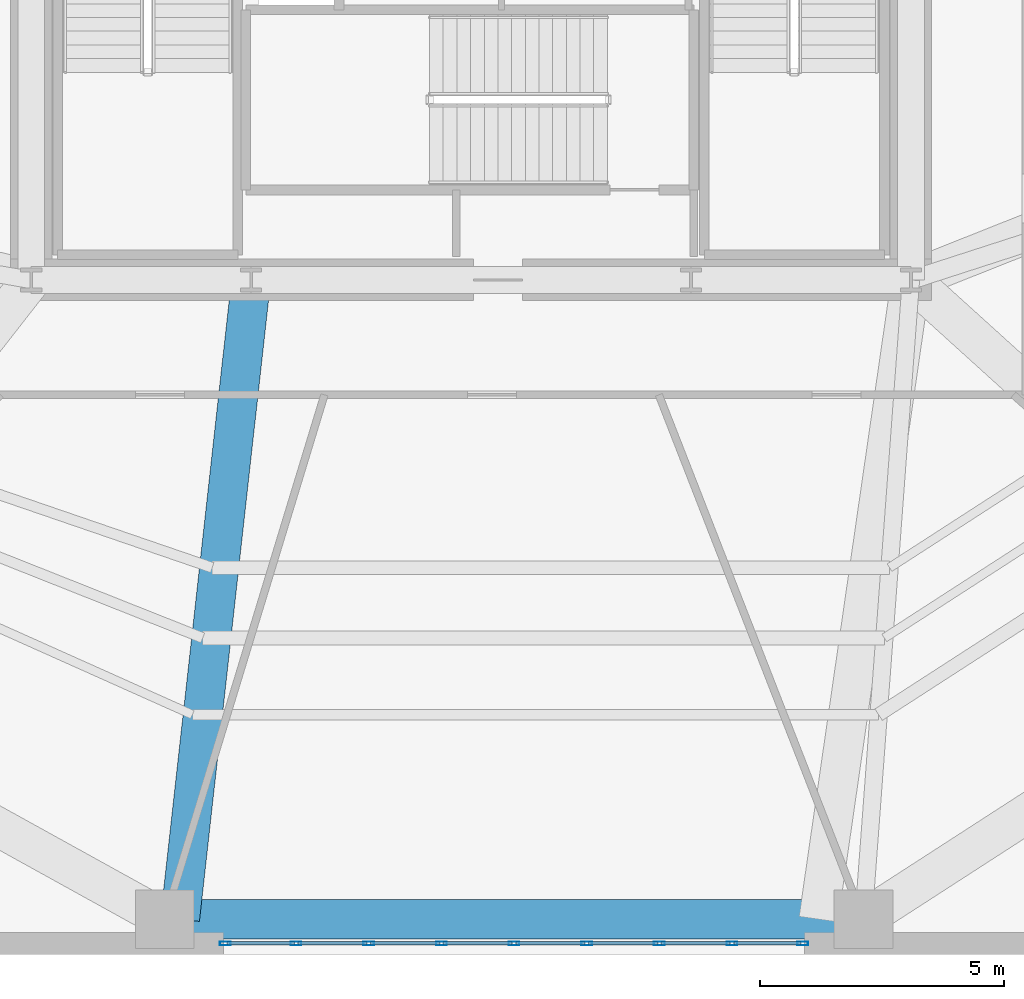
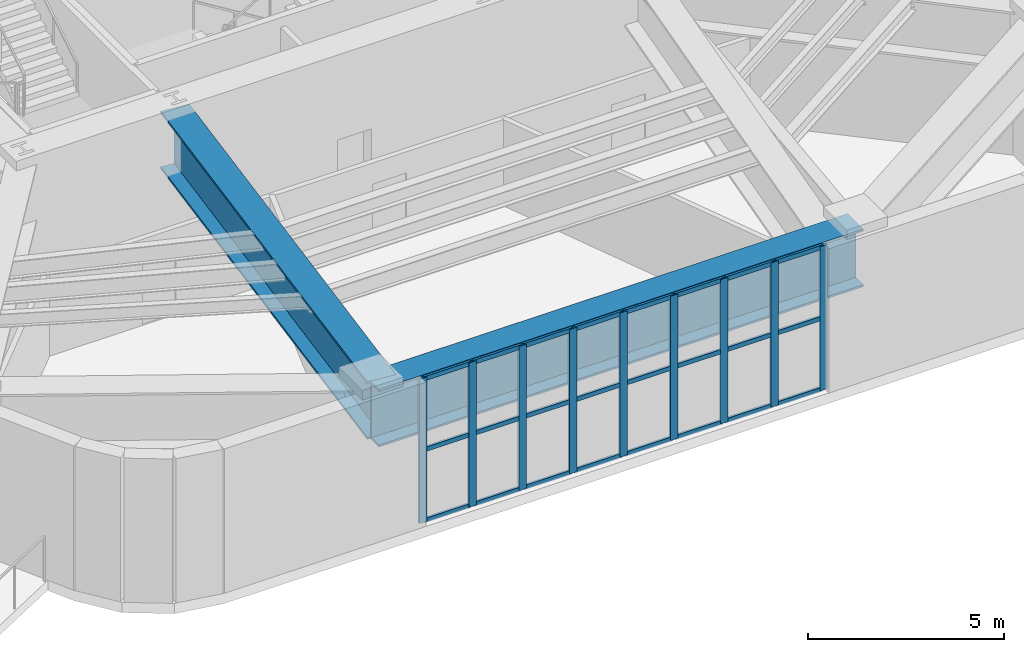
# One storey, part 4 of 22: 33 members, 2 beams, 1 element without a shape of its own.
"""IFC4 building model written with IfcOpenShell, lengths in metres."""

from ifc_helpers import new_model, si_unit, direction, frame, origin, origin_2d, place, context, subcontext, project, spatial, hollow_rectangle, i_section, extrude, material, layer, layer_set, material_profile, profile_set, type_object, element, aggregate, save


model = new_model("IFC4")

# Units and contexts
model_context = context("Model", 3, precision=1e-05, world=origin(), true_north=direction((0.0, 1.0)))
body_context = subcontext(model_context, "Body", "Model", "MODEL_VIEW")
ifc_project = project(units=[si_unit("LENGTHUNIT", "METRE"), si_unit("AREAUNIT", "SQUARE_METRE"), si_unit("VOLUMEUNIT", "CUBIC_METRE"), si_unit("PLANEANGLEUNIT", "RADIAN"), si_unit("MASSUNIT", "GRAM", prefix="KILO")], contexts=[model_context])

# Site, building, storey
site_placement = place(None, origin())
site = spatial("IfcSite", under=ifc_project, at=site_placement, CompositionType="ELEMENT")
building_placement = place(site_placement, origin())
building = spatial("IfcBuilding", under=site, at=building_placement, Name="Kilnhurst Terrace Hotel", CompositionType="ELEMENT")
storey_placement = place(building_placement, frame((0.0, 0.0, 139.5)))
storey = spatial("IfcBuildingStorey", under=building, at=storey_placement, Name="L34", CompositionType="ELEMENT", Elevation=139.5)

# Curtain wall, members
ifc_material_1 = material(Name="Anodized Aluminium Alloy 6063-T6 and Low-E Glass", Category="aluminium")
ifc_layer = layer(ifc_material_1, 0.219970703125, Name="Anodized Aluminium Alloy 6063-T6 and Low-E Glass")
ifc_layer_set = layer_set([ifc_layer], Name="Anodized Aluminium Alloy 6063-T6 and Low-E Glass")
curtain_wall_type = type_object("IfcCurtainWallType", Name="CW-SKY-L34", PredefinedType="NOTDEFINED", material=ifc_layer_set)
curtain_wall_placement = place(storey_placement, origin())
curtain_wall = element("IfcCurtainWall", 1, at=curtain_wall_placement, inside=storey, type_object=curtain_wall_type, Name="L34 Curtain Wall CW-L34-F1-1", PredefinedType="NOTDEFINED")
ifc_material_2 = material(Name="Extruded Aluminium Alloy 6063-T6", Category="aluminium")
ifc_material_profile_1 = material_profile(ifc_material_2, hollow_rectangle(XDim=0.074951171875, YDim=0.219970703125, WallThickness=0.00390625, at=origin_2d()), Name="CWM75X220")
ifc_profile_set_1 = profile_set([ifc_material_profile_1], Name="Extruded Aluminium Alloy 6063-T6")
member_type_1 = type_object("IfcMemberType", Name="MEM-CWM75X220", PredefinedType="MULLION", material=ifc_profile_set_1)
member_1_placement = place(storey_placement, frame((-5.028564453125, -21.074951171875, 0.0), z_axis=(0.0, 0.0, 1.0), x_axis=(0.0, 1.0, 0.0)))
member_1 = element("IfcMember", 2, at=member_1_placement, type_object=member_type_1, Name="CWS-3 mullion 1", PredefinedType="MULLION", context=body_context, shape_type="SweptSolid", body=[
    extrude(hollow_rectangle(XDim=0.074951171875, YDim=0.219970703125, WallThickness=0.00390625, at=origin_2d()), origin(), (0.0, 0.0, 1.0), 4.5),
])
member_2_placement = place(storey_placement, frame((-3.57958984375, -21.074951171875, 0.0), z_axis=(0.0, 0.0, 1.0), x_axis=(0.0, 1.0, 0.0)))
member_2 = element("IfcMember", 3, at=member_2_placement, type_object=member_type_1, Name="CWS-3 mullion 2", PredefinedType="MULLION", context=body_context, shape_type="SweptSolid", body=[
    extrude(hollow_rectangle(XDim=0.074951171875, YDim=0.219970703125, WallThickness=0.00390625, at=origin_2d()), origin(), (0.0, 0.0, 1.0), 4.5),
])
member_3_placement = place(storey_placement, frame((-2.09326171875, -21.074951171875, 0.0), z_axis=(0.0, 0.0, 1.0), x_axis=(0.0, 1.0, 0.0)))
member_3 = element("IfcMember", 4, at=member_3_placement, type_object=member_type_1, Name="CWS-3 mullion 3", PredefinedType="MULLION", context=body_context, shape_type="SweptSolid", body=[
    extrude(hollow_rectangle(XDim=0.074951171875, YDim=0.219970703125, WallThickness=0.00390625, at=origin_2d()), origin(), (0.0, 0.0, 1.0), 4.5),
])
member_4_placement = place(storey_placement, frame((-0.60693359375, -21.074951171875, 0.0), z_axis=(0.0, 0.0, 1.0), x_axis=(0.0, 1.0, 0.0)))
member_4 = element("IfcMember", 5, at=member_4_placement, type_object=member_type_1, Name="CWS-3 mullion 4", PredefinedType="MULLION", context=body_context, shape_type="SweptSolid", body=[
    extrude(hollow_rectangle(XDim=0.074951171875, YDim=0.219970703125, WallThickness=0.00390625, at=origin_2d()), origin(), (0.0, 0.0, 1.0), 4.5),
])
member_5_placement = place(storey_placement, frame((0.87939453125, -21.074951171875, 0.0), z_axis=(0.0, 0.0, 1.0), x_axis=(0.0, 1.0, 0.0)))
member_5 = element("IfcMember", 6, at=member_5_placement, type_object=member_type_1, Name="CWS-3 mullion 5", PredefinedType="MULLION", context=body_context, shape_type="SweptSolid", body=[
    extrude(hollow_rectangle(XDim=0.074951171875, YDim=0.219970703125, WallThickness=0.00390625, at=origin_2d()), origin(), (0.0, 0.0, 1.0), 4.5),
])
member_6_placement = place(storey_placement, frame((2.365966796875, -21.074951171875, 0.0), z_axis=(0.0, 0.0, 1.0), x_axis=(0.0, 1.0, 0.0)))
member_6 = element("IfcMember", 7, at=member_6_placement, type_object=member_type_1, Name="CWS-3 mullion 6", PredefinedType="MULLION", context=body_context, shape_type="SweptSolid", body=[
    extrude(hollow_rectangle(XDim=0.074951171875, YDim=0.219970703125, WallThickness=0.00390625, at=origin_2d()), origin(), (0.0, 0.0, 1.0), 4.5),
])
member_7_placement = place(storey_placement, frame((3.852294921875, -21.074951171875, 0.0), z_axis=(0.0, 0.0, 1.0), x_axis=(0.0, 1.0, 0.0)))
member_7 = element("IfcMember", 8, at=member_7_placement, type_object=member_type_1, Name="CWS-3 mullion 7", PredefinedType="MULLION", context=body_context, shape_type="SweptSolid", body=[
    extrude(hollow_rectangle(XDim=0.074951171875, YDim=0.219970703125, WallThickness=0.00390625, at=origin_2d()), origin(), (0.0, 0.0, 1.0), 4.5),
])
member_8_placement = place(storey_placement, frame((5.338623046875, -21.074951171875, 0.0), z_axis=(0.0, 0.0, 1.0), x_axis=(0.0, 1.0, 0.0)))
member_8 = element("IfcMember", 9, at=member_8_placement, type_object=member_type_1, Name="CWS-3 mullion 8", PredefinedType="MULLION", context=body_context, shape_type="SweptSolid", body=[
    extrude(hollow_rectangle(XDim=0.074951171875, YDim=0.219970703125, WallThickness=0.00390625, at=origin_2d()), origin(), (0.0, 0.0, 1.0), 4.5),
])
member_9_placement = place(storey_placement, frame((6.78759765625, -21.074951171875, 0.0), z_axis=(0.0, 0.0, 1.0), x_axis=(0.0, 1.0, 0.0)))
member_9 = element("IfcMember", 10, at=member_9_placement, type_object=member_type_1, Name="CWS-3 mullion 9", PredefinedType="MULLION", context=body_context, shape_type="SweptSolid", body=[
    extrude(hollow_rectangle(XDim=0.074951171875, YDim=0.219970703125, WallThickness=0.00390625, at=origin_2d()), origin(), (0.0, 0.0, 1.0), 4.5),
])
ifc_material_profile_2 = material_profile(ifc_material_2, hollow_rectangle(XDim=0.070068359375, YDim=0.135009765625, WallThickness=0.00390625, at=origin_2d()), Name="CWT70X135")
ifc_profile_set_2 = profile_set([ifc_material_profile_2], Name="Extruded Aluminium Alloy 6063-T6")
member_type_2 = type_object("IfcMemberType", Name="MEM-CWT70X135", PredefinedType="USERDEFINED", material=ifc_profile_set_2)
member_10_placement = place(storey_placement, frame((-4.990966796875, -21.074951171875, 0.034912109375), z_axis=(1.0, 0.0, 0.0), x_axis=(0.0, 1.0, 0.0)))
member_10 = element("IfcMember", 11, at=member_10_placement, type_object=member_type_2, Name="CWS-3 transom 1.1", ObjectType="TRANSOM", PredefinedType="USERDEFINED", context=body_context, shape_type="SweptSolid", body=[
    extrude(hollow_rectangle(XDim=0.070068359375, YDim=0.135009765625, WallThickness=0.00390625, at=origin_2d()), origin(), (0.0, 0.0, 1.0), 1.373779296875),
])
member_11_placement = place(storey_placement, frame((-4.990966796875, -21.074951171875, 2.25), z_axis=(1.0, 0.0, 0.0), x_axis=(0.0, 1.0, 0.0)))
member_11 = element("IfcMember", 12, at=member_11_placement, type_object=member_type_2, Name="CWS-3 transom 1.2", ObjectType="TRANSOM", PredefinedType="USERDEFINED", context=body_context, shape_type="SweptSolid", body=[
    extrude(hollow_rectangle(XDim=0.070068359375, YDim=0.135009765625, WallThickness=0.00390625, at=origin_2d()), origin(), (0.0, 0.0, 1.0), 1.373779296875),
])
member_12_placement = place(storey_placement, frame((-4.990966796875, -21.074951171875, 4.465087890625), z_axis=(1.0, 0.0, 0.0), x_axis=(0.0, 1.0, 0.0)))
member_12 = element("IfcMember", 13, at=member_12_placement, type_object=member_type_2, Name="CWS-3 transom 1.3", ObjectType="TRANSOM", PredefinedType="USERDEFINED", context=body_context, shape_type="SweptSolid", body=[
    extrude(hollow_rectangle(XDim=0.070068359375, YDim=0.135009765625, WallThickness=0.00390625, at=origin_2d()), origin(), (0.0, 0.0, 1.0), 1.373779296875),
])
member_13_placement = place(storey_placement, frame((-3.542236328125, -21.074951171875, 0.034912109375), z_axis=(1.0, 0.0, 0.0), x_axis=(0.0, 1.0, 0.0)))
member_13 = element("IfcMember", 14, at=member_13_placement, type_object=member_type_2, Name="CWS-3 transom 2.1", ObjectType="TRANSOM", PredefinedType="USERDEFINED", context=body_context, shape_type="SweptSolid", body=[
    extrude(hollow_rectangle(XDim=0.070068359375, YDim=0.135009765625, WallThickness=0.00390625, at=origin_2d()), origin(), (0.0, 0.0, 1.0), 1.411376953125),
])
member_14_placement = place(storey_placement, frame((-3.542236328125, -21.074951171875, 2.25), z_axis=(1.0, 0.0, 0.0), x_axis=(0.0, 1.0, 0.0)))
member_14 = element("IfcMember", 15, at=member_14_placement, type_object=member_type_2, Name="CWS-3 transom 2.2", ObjectType="TRANSOM", PredefinedType="USERDEFINED", context=body_context, shape_type="SweptSolid", body=[
    extrude(hollow_rectangle(XDim=0.070068359375, YDim=0.135009765625, WallThickness=0.00390625, at=origin_2d()), origin(), (0.0, 0.0, 1.0), 1.411376953125),
])
member_15_placement = place(storey_placement, frame((-3.542236328125, -21.074951171875, 4.465087890625), z_axis=(1.0, 0.0, 0.0), x_axis=(0.0, 1.0, 0.0)))
member_15 = element("IfcMember", 16, at=member_15_placement, type_object=member_type_2, Name="CWS-3 transom 2.3", ObjectType="TRANSOM", PredefinedType="USERDEFINED", context=body_context, shape_type="SweptSolid", body=[
    extrude(hollow_rectangle(XDim=0.070068359375, YDim=0.135009765625, WallThickness=0.00390625, at=origin_2d()), origin(), (0.0, 0.0, 1.0), 1.411376953125),
])
member_16_placement = place(storey_placement, frame((-2.0556640625, -21.074951171875, 0.034912109375), z_axis=(1.0, 0.0, 0.0), x_axis=(0.0, 1.0, 0.0)))
member_16 = element("IfcMember", 17, at=member_16_placement, type_object=member_type_2, Name="CWS-3 transom 3.1", ObjectType="TRANSOM", PredefinedType="USERDEFINED", context=body_context, shape_type="SweptSolid", body=[
    extrude(hollow_rectangle(XDim=0.070068359375, YDim=0.135009765625, WallThickness=0.00390625, at=origin_2d()), origin(), (0.0, 0.0, 1.0), 1.411376953125),
])
member_17_placement = place(storey_placement, frame((-2.0556640625, -21.074951171875, 2.25), z_axis=(1.0, 0.0, 0.0), x_axis=(0.0, 1.0, 0.0)))
member_17 = element("IfcMember", 18, at=member_17_placement, type_object=member_type_2, Name="CWS-3 transom 3.2", ObjectType="TRANSOM", PredefinedType="USERDEFINED", context=body_context, shape_type="SweptSolid", body=[
    extrude(hollow_rectangle(XDim=0.070068359375, YDim=0.135009765625, WallThickness=0.00390625, at=origin_2d()), origin(), (0.0, 0.0, 1.0), 1.411376953125),
])
member_18_placement = place(storey_placement, frame((-2.0556640625, -21.074951171875, 4.465087890625), z_axis=(1.0, 0.0, 0.0), x_axis=(0.0, 1.0, 0.0)))
member_18 = element("IfcMember", 19, at=member_18_placement, type_object=member_type_2, Name="CWS-3 transom 3.3", ObjectType="TRANSOM", PredefinedType="USERDEFINED", context=body_context, shape_type="SweptSolid", body=[
    extrude(hollow_rectangle(XDim=0.070068359375, YDim=0.135009765625, WallThickness=0.00390625, at=origin_2d()), origin(), (0.0, 0.0, 1.0), 1.411376953125),
])
member_19_placement = place(storey_placement, frame((-0.5693359375, -21.074951171875, 0.034912109375), z_axis=(1.0, 0.0, 0.0), x_axis=(0.0, 1.0, 0.0)))
member_19 = element("IfcMember", 20, at=member_19_placement, type_object=member_type_2, Name="CWS-3 transom 4.1", ObjectType="TRANSOM", PredefinedType="USERDEFINED", context=body_context, shape_type="SweptSolid", body=[
    extrude(hollow_rectangle(XDim=0.070068359375, YDim=0.135009765625, WallThickness=0.00390625, at=origin_2d()), origin(), (0.0, 0.0, 1.0), 1.411376953125),
])
member_20_placement = place(storey_placement, frame((-0.5693359375, -21.074951171875, 2.25), z_axis=(1.0, 0.0, 0.0), x_axis=(0.0, 1.0, 0.0)))
member_20 = element("IfcMember", 21, at=member_20_placement, type_object=member_type_2, Name="CWS-3 transom 4.2", ObjectType="TRANSOM", PredefinedType="USERDEFINED", context=body_context, shape_type="SweptSolid", body=[
    extrude(hollow_rectangle(XDim=0.070068359375, YDim=0.135009765625, WallThickness=0.00390625, at=origin_2d()), origin(), (0.0, 0.0, 1.0), 1.411376953125),
])
member_21_placement = place(storey_placement, frame((-0.5693359375, -21.074951171875, 4.465087890625), z_axis=(1.0, 0.0, 0.0), x_axis=(0.0, 1.0, 0.0)))
member_21 = element("IfcMember", 22, at=member_21_placement, type_object=member_type_2, Name="CWS-3 transom 4.3", ObjectType="TRANSOM", PredefinedType="USERDEFINED", context=body_context, shape_type="SweptSolid", body=[
    extrude(hollow_rectangle(XDim=0.070068359375, YDim=0.135009765625, WallThickness=0.00390625, at=origin_2d()), origin(), (0.0, 0.0, 1.0), 1.411376953125),
])
member_22_placement = place(storey_placement, frame((0.9169921875, -21.074951171875, 0.034912109375), z_axis=(1.0, 0.0, 0.0), x_axis=(0.0, 1.0, 0.0)))
member_22 = element("IfcMember", 23, at=member_22_placement, type_object=member_type_2, Name="CWS-3 transom 5.1", ObjectType="TRANSOM", PredefinedType="USERDEFINED", context=body_context, shape_type="SweptSolid", body=[
    extrude(hollow_rectangle(XDim=0.070068359375, YDim=0.135009765625, WallThickness=0.00390625, at=origin_2d()), origin(), (0.0, 0.0, 1.0), 1.411376953125),
])
member_23_placement = place(storey_placement, frame((0.9169921875, -21.074951171875, 2.25), z_axis=(1.0, 0.0, 0.0), x_axis=(0.0, 1.0, 0.0)))
member_23 = element("IfcMember", 24, at=member_23_placement, type_object=member_type_2, Name="CWS-3 transom 5.2", ObjectType="TRANSOM", PredefinedType="USERDEFINED", context=body_context, shape_type="SweptSolid", body=[
    extrude(hollow_rectangle(XDim=0.070068359375, YDim=0.135009765625, WallThickness=0.00390625, at=origin_2d()), origin(), (0.0, 0.0, 1.0), 1.411376953125),
])
member_24_placement = place(storey_placement, frame((0.9169921875, -21.074951171875, 4.465087890625), z_axis=(1.0, 0.0, 0.0), x_axis=(0.0, 1.0, 0.0)))
member_24 = element("IfcMember", 25, at=member_24_placement, type_object=member_type_2, Name="CWS-3 transom 5.3", ObjectType="TRANSOM", PredefinedType="USERDEFINED", context=body_context, shape_type="SweptSolid", body=[
    extrude(hollow_rectangle(XDim=0.070068359375, YDim=0.135009765625, WallThickness=0.00390625, at=origin_2d()), origin(), (0.0, 0.0, 1.0), 1.411376953125),
])
member_25_placement = place(storey_placement, frame((2.4033203125, -21.074951171875, 0.034912109375), z_axis=(1.0, 0.0, 0.0), x_axis=(0.0, 1.0, 0.0)))
member_25 = element("IfcMember", 26, at=member_25_placement, type_object=member_type_2, Name="CWS-3 transom 6.1", ObjectType="TRANSOM", PredefinedType="USERDEFINED", context=body_context, shape_type="SweptSolid", body=[
    extrude(hollow_rectangle(XDim=0.070068359375, YDim=0.135009765625, WallThickness=0.00390625, at=origin_2d()), origin(), (0.0, 0.0, 1.0), 1.411376953125),
])
member_26_placement = place(storey_placement, frame((2.4033203125, -21.074951171875, 2.25), z_axis=(1.0, 0.0, 0.0), x_axis=(0.0, 1.0, 0.0)))
member_26 = element("IfcMember", 27, at=member_26_placement, type_object=member_type_2, Name="CWS-3 transom 6.2", ObjectType="TRANSOM", PredefinedType="USERDEFINED", context=body_context, shape_type="SweptSolid", body=[
    extrude(hollow_rectangle(XDim=0.070068359375, YDim=0.135009765625, WallThickness=0.00390625, at=origin_2d()), origin(), (0.0, 0.0, 1.0), 1.411376953125),
])
member_27_placement = place(storey_placement, frame((2.4033203125, -21.074951171875, 4.465087890625), z_axis=(1.0, 0.0, 0.0), x_axis=(0.0, 1.0, 0.0)))
member_27 = element("IfcMember", 28, at=member_27_placement, type_object=member_type_2, Name="CWS-3 transom 6.3", ObjectType="TRANSOM", PredefinedType="USERDEFINED", context=body_context, shape_type="SweptSolid", body=[
    extrude(hollow_rectangle(XDim=0.070068359375, YDim=0.135009765625, WallThickness=0.00390625, at=origin_2d()), origin(), (0.0, 0.0, 1.0), 1.411376953125),
])
member_28_placement = place(storey_placement, frame((3.8896484375, -21.074951171875, 0.034912109375), z_axis=(1.0, 0.0, 0.0), x_axis=(0.0, 1.0, 0.0)))
member_28 = element("IfcMember", 29, at=member_28_placement, type_object=member_type_2, Name="CWS-3 transom 7.1", ObjectType="TRANSOM", PredefinedType="USERDEFINED", context=body_context, shape_type="SweptSolid", body=[
    extrude(hollow_rectangle(XDim=0.070068359375, YDim=0.135009765625, WallThickness=0.00390625, at=origin_2d()), origin(), (0.0, 0.0, 1.0), 1.411376953125),
])
member_29_placement = place(storey_placement, frame((3.8896484375, -21.074951171875, 2.25), z_axis=(1.0, 0.0, 0.0), x_axis=(0.0, 1.0, 0.0)))
member_29 = element("IfcMember", 30, at=member_29_placement, type_object=member_type_2, Name="CWS-3 transom 7.2", ObjectType="TRANSOM", PredefinedType="USERDEFINED", context=body_context, shape_type="SweptSolid", body=[
    extrude(hollow_rectangle(XDim=0.070068359375, YDim=0.135009765625, WallThickness=0.00390625, at=origin_2d()), origin(), (0.0, 0.0, 1.0), 1.411376953125),
])
member_30_placement = place(storey_placement, frame((3.8896484375, -21.074951171875, 4.465087890625), z_axis=(1.0, 0.0, 0.0), x_axis=(0.0, 1.0, 0.0)))
member_30 = element("IfcMember", 31, at=member_30_placement, type_object=member_type_2, Name="CWS-3 transom 7.3", ObjectType="TRANSOM", PredefinedType="USERDEFINED", context=body_context, shape_type="SweptSolid", body=[
    extrude(hollow_rectangle(XDim=0.070068359375, YDim=0.135009765625, WallThickness=0.00390625, at=origin_2d()), origin(), (0.0, 0.0, 1.0), 1.411376953125),
])
member_31_placement = place(storey_placement, frame((5.376220703125, -21.074951171875, 0.034912109375), z_axis=(1.0, 0.0, 0.0), x_axis=(0.0, 1.0, 0.0)))
member_31 = element("IfcMember", 32, at=member_31_placement, type_object=member_type_2, Name="CWS-3 transom 8.1", ObjectType="TRANSOM", PredefinedType="USERDEFINED", context=body_context, shape_type="SweptSolid", body=[
    extrude(hollow_rectangle(XDim=0.070068359375, YDim=0.135009765625, WallThickness=0.00390625, at=origin_2d()), origin(), (0.0, 0.0, 1.0), 1.373779296875),
])
member_32_placement = place(storey_placement, frame((5.376220703125, -21.074951171875, 2.25), z_axis=(1.0, 0.0, 0.0), x_axis=(0.0, 1.0, 0.0)))
member_32 = element("IfcMember", 33, at=member_32_placement, type_object=member_type_2, Name="CWS-3 transom 8.2", ObjectType="TRANSOM", PredefinedType="USERDEFINED", context=body_context, shape_type="SweptSolid", body=[
    extrude(hollow_rectangle(XDim=0.070068359375, YDim=0.135009765625, WallThickness=0.00390625, at=origin_2d()), origin(), (0.0, 0.0, 1.0), 1.373779296875),
])
member_33_placement = place(storey_placement, frame((5.376220703125, -21.074951171875, 4.465087890625), z_axis=(1.0, 0.0, 0.0), x_axis=(0.0, 1.0, 0.0)))
member_33 = element("IfcMember", 34, at=member_33_placement, type_object=member_type_2, Name="CWS-3 transom 8.3", ObjectType="TRANSOM", PredefinedType="USERDEFINED", context=body_context, shape_type="SweptSolid", body=[
    extrude(hollow_rectangle(XDim=0.070068359375, YDim=0.135009765625, WallThickness=0.00390625, at=origin_2d()), origin(), (0.0, 0.0, 1.0), 1.373779296875),
])
aggregate(curtain_wall, [member_1, member_2, member_3, member_4, member_5, member_6, member_7, member_8, member_9, member_10, member_11, member_12, member_13, member_14, member_15, member_16, member_17, member_18, member_19, member_20, member_21, member_22, member_23, member_24, member_25, member_26, member_27, member_28, member_29, member_30, member_31, member_32, member_33])

# Beams
ifc_material_3 = material(Name="Steel ASTM A572 Grade 50", Category="steel")
ifc_material_profile_3 = material_profile(ifc_material_3, i_section(OverallWidth=0.800048828125, OverallDepth=1.800048828125, WebThickness=0.0400390625, FlangeThickness=0.06494140625, at=origin_2d()), Name="PG1800X800")
ifc_profile_set_3 = profile_set([ifc_material_profile_3], Name="Steel ASTM A572 Grade 50")
beam_type = type_object("IfcBeamType", Name="TG-STEP-1800", PredefinedType="USERDEFINED", material=ifc_profile_set_3)
beam_1_placement = place(storey_placement, frame((-6.26806640625, -20.580078125, 3.60009765625), z_axis=(1.0, 0.0, 0.0), x_axis=(0.0, 1.0, 0.0)))
element("IfcBeam", 35, at=beam_1_placement, inside=storey, type_object=beam_type, Name="L34 Zone Step Perimeter Transfer Girder 1", ObjectType="GIRDER", PredefinedType="USERDEFINED", context=body_context, shape_type="SweptSolid", body=[
    extrude(i_section(OverallWidth=0.800048828125, OverallDepth=1.800048828125, WebThickness=0.0400390625, FlangeThickness=0.06494140625, at=origin_2d()), origin(), (0.0, 0.0, 1.0), 14.296142578125),
])
beam_2_placement = place(storey_placement, frame((-4.5, -7.5, 3.60009765625), z_axis=(-0.110580155906, -0.993867208997, 0.0), x_axis=(0.993867208997, -0.110580155906, 0.0)))
element("IfcBeam", 36, at=beam_2_placement, inside=storey, type_object=beam_type, Name="L34 Zone Step Radial Transfer Girder 1", ObjectType="GIRDER", PredefinedType="USERDEFINED", context=body_context, shape_type="SweptSolid", body=[
    extrude(i_section(OverallWidth=0.800048828125, OverallDepth=1.800048828125, WebThickness=0.0400390625, FlangeThickness=0.06494140625, at=origin_2d()), origin(), (0.0, 0.0, 1.0), 13.160888671875),
])

save(model, "model.ifc")
